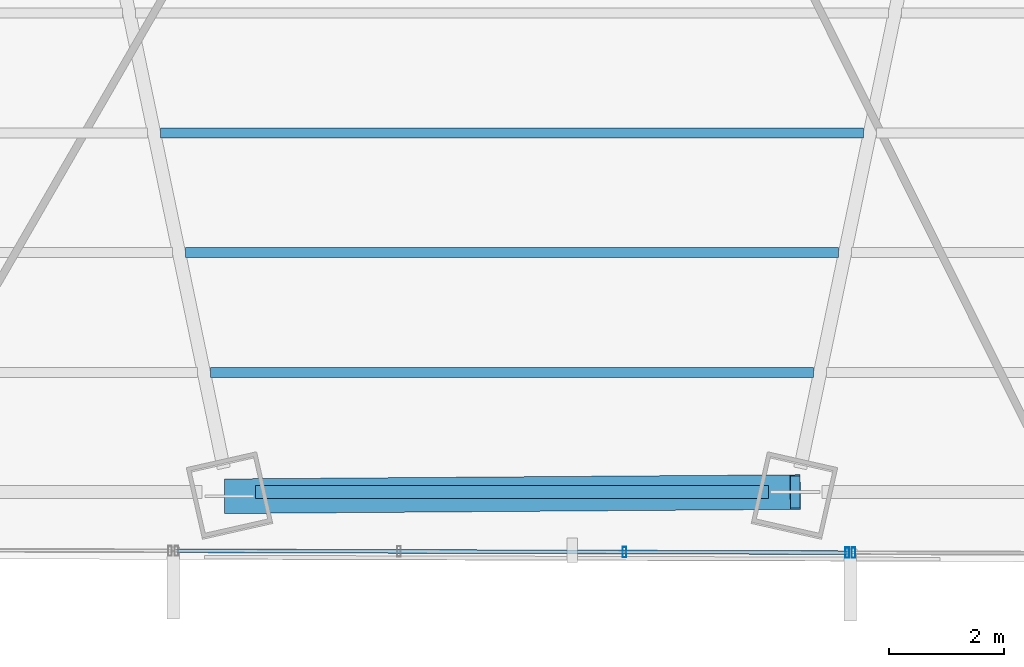
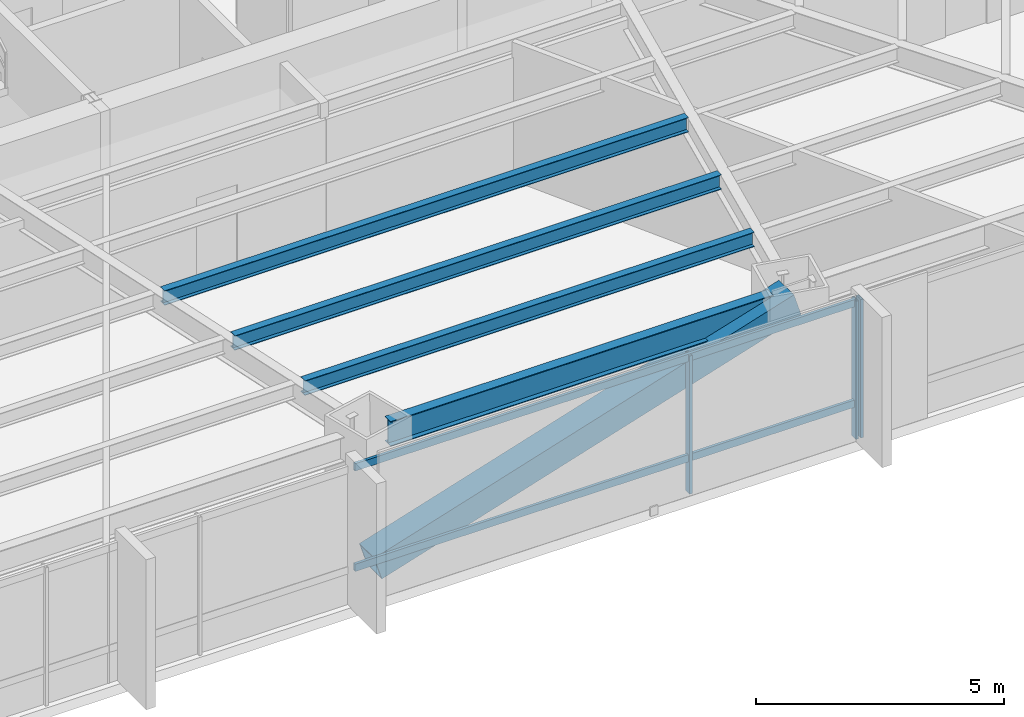
# One storey, part 6 of 29: 6 members, 4 beams, 2 elements without a shape of their own.
"""IFC4 building model written with IfcOpenShell, lengths in metres."""

from ifc_helpers import new_model, si_unit, direction, frame, origin, origin_2d, place, context, subcontext, project, spatial, hollow_rectangle, i_section, extrude, source, transform, mapped, material, material_profile, profile_set, type_object, type_shapes, element, aggregate, save


model = new_model("IFC4")

# Units and contexts
model_context = context("Model", 3, precision=1e-05, world=origin(), true_north=direction((0.0, 1.0)))
body_context = subcontext(model_context, "Body", "Model", "MODEL_VIEW")
ifc_project = project(units=[si_unit("LENGTHUNIT", "METRE"), si_unit("AREAUNIT", "SQUARE_METRE"), si_unit("VOLUMEUNIT", "CUBIC_METRE"), si_unit("PLANEANGLEUNIT", "RADIAN"), si_unit("MASSUNIT", "GRAM", prefix="KILO")], contexts=[model_context])

# Site, building, storey
site_placement = place(None, origin())
site = spatial("IfcSite", under=ifc_project, at=site_placement, CompositionType="ELEMENT")
building_placement = place(site_placement, origin())
building = spatial("IfcBuilding", under=site, at=building_placement, Name="Caelisora Broadcast Tower", CompositionType="ELEMENT")
storey_placement = place(building_placement, frame((0.0, 0.0, 31.25)))
storey = spatial("IfcBuildingStorey", under=building, at=storey_placement, Name="L07", CompositionType="ELEMENT", Elevation=31.25)

# Beams
ifc_material_1 = material(Name="Steel Grade 350 (AS/NZS 3679.1)", Category="steel")
ifc_material_profile_1 = material_profile(ifc_material_1, i_section(OverallWidth=0.22900390625, OverallDepth=0.611572265625, WebThickness=0.011962890625, FlangeThickness=0.01953125, at=origin_2d()), Name="Steel Grade 350 (AS/NZS 3679.1)")
ifc_profile_set_1 = profile_set([ifc_material_profile_1], Name="Steel Grade 350 (AS/NZS 3679.1)")
beam_type_1 = type_object("IfcBeamType", Name="PG03", PredefinedType="BEAM", material=ifc_profile_set_1)
shared_shape_1 = source(origin(), body_context, "Body", "SweptSolid", [
    extrude(i_section(OverallWidth=0.22900390625, OverallDepth=0.611572265625, WebThickness=0.011962890625, FlangeThickness=0.01953125, at=origin_2d()), origin(), (0.0, 0.0, 1.0), 8.900390625),
])
type_shapes(beam_type_1, [shared_shape_1])
beam_1_placement = place(storey_placement, frame((33.5498046875, 4.944580078125, 3.09423828125), z_axis=(1.0, 0.0, 0.0), x_axis=(0.0, 1.0, 0.0)))
element("IfcBeam", 1, at=beam_1_placement, inside=storey, type_object=beam_type_1, Name="L07 beam PG03", PredefinedType="BEAM", context=body_context, shape_type="MappedRepresentation", body=[
    mapped(shared_shape_1, transform((0.0, 0.0, 0.0), scale=1.0)),
])
ifc_material_profile_2 = material_profile(ifc_material_1, i_section(OverallWidth=0.172119140625, OverallDepth=0.358642578125, WebThickness=0.008056640625, FlangeThickness=0.012939453125, at=origin_2d()), Name="Steel Grade 350 (AS/NZS 3679.1)")
ifc_profile_set_2 = profile_set([ifc_material_profile_2], Name="Steel Grade 350 (AS/NZS 3679.1)")
beam_type_2 = type_object("IfcBeamType", Name="SB02", PredefinedType="JOIST", material=ifc_profile_set_2)
shared_shape_2 = source(origin(), body_context, "Body", "SweptSolid", [
    extrude(i_section(OverallWidth=0.172119140625, OverallDepth=0.358642578125, WebThickness=0.008056640625, FlangeThickness=0.012939453125, at=origin_2d()), origin(), (0.0, 0.0, 1.0), 12.18359375),
])
beam_2_placement = place(storey_placement, frame((31.908203125, 11.17236328125, 3.220703125), z_axis=(1.0, 0.0, 0.0), x_axis=(0.0, 1.0, 0.0)))
element("IfcBeam", 2, at=beam_2_placement, inside=storey, type_object=beam_type_2, Name="L07 beam SB02", PredefinedType="JOIST", context=body_context, shape_type="MappedRepresentation", body=[
    mapped(shared_shape_2, transform((0.0, 0.0, 0.0), scale=1.0)),
])
shared_shape_3 = source(origin(), body_context, "Body", "SweptSolid", [
    extrude(i_section(OverallWidth=0.172119140625, OverallDepth=0.358642578125, WebThickness=0.008056640625, FlangeThickness=0.012939453125, at=origin_2d()), origin(), (0.0, 0.0, 1.0), 11.3203125),
])
beam_3_placement = place(storey_placement, frame((32.33984375, 9.096435546875, 3.220703125), z_axis=(1.0, 0.0, 0.0), x_axis=(0.0, 1.0, 0.0)))
element("IfcBeam", 3, at=beam_3_placement, inside=storey, type_object=beam_type_2, Name="L07 beam SB02", PredefinedType="JOIST", context=body_context, shape_type="MappedRepresentation", body=[
    mapped(shared_shape_3, transform((0.0, 0.0, 0.0), scale=1.0)),
])
shared_shape_4 = source(origin(), body_context, "Body", "SweptSolid", [
    extrude(i_section(OverallWidth=0.172119140625, OverallDepth=0.358642578125, WebThickness=0.008056640625, FlangeThickness=0.012939453125, at=origin_2d()), origin(), (0.0, 0.0, 1.0), 10.45703125),
])
type_shapes(beam_type_2, [shared_shape_2, shared_shape_3, shared_shape_4])
beam_4_placement = place(storey_placement, frame((32.771484375, 7.0205078125, 3.220703125), z_axis=(1.0, 0.0, 0.0), x_axis=(0.0, 1.0, 0.0)))
element("IfcBeam", 4, at=beam_4_placement, inside=storey, type_object=beam_type_2, Name="L07 beam SB02", PredefinedType="JOIST", context=body_context, shape_type="MappedRepresentation", body=[
    mapped(shared_shape_4, transform((0.0, 0.0, 0.0), scale=1.0)),
])

# Member
ifc_material_2 = material(Name="Steel Grade 450 L15 (AS/NZS 3678)", Category="steel")
ifc_material_profile_3 = material_profile(ifc_material_2, hollow_rectangle(XDim=0.60009765625, YDim=0.60009765625, WallThickness=0.02490234375, at=origin_2d()), Name="Steel Grade 450 L15 (AS/NZS 3678)")
ifc_profile_set_3 = profile_set([ifc_material_profile_3], Name="Steel Grade 450 L15 (AS/NZS 3678)")
member_type_1 = type_object("IfcMemberType", Name="BR01", PredefinedType="BRACE", material=ifc_profile_set_3)
shared_shape_5 = source(origin(), body_context, "Body", "SweptSolid", [
    extrude(hollow_rectangle(XDim=0.60009765625, YDim=0.60009765625, WallThickness=0.02490234375, at=origin_2d()), origin(), (0.0, 0.0, 1.0), 10.2529296875),
])
type_shapes(member_type_1, [shared_shape_5])
member_1_placement = place(storey_placement, frame((33.106201171875, 4.872314453125, 0.10009765625), z_axis=(0.956209249672, 0.007048283933, 0.292599030305), x_axis=(-0.007370868319, 0.999972834781, 0.0)))
element("IfcMember", 5, at=member_1_placement, inside=storey, type_object=member_type_1, Name="L07 perimeter brace BR01", PredefinedType="BRACE", context=body_context, shape_type="MappedRepresentation", body=[
    mapped(shared_shape_5, transform((0.0, 0.0, 0.0), scale=1.0)),
])

# Curtain wall, member
ifc_material_3 = material(Name="Unitised Aluminium and Low-E Glass Curtain Wall", Category="glass")
curtain_wall_type_1 = type_object("IfcCurtainWallType", Name="CW-Z1", PredefinedType="NOTDEFINED", material=ifc_material_3)
curtain_wall_1_placement = place(storey_placement, origin())
curtain_wall_1 = element("IfcCurtainWall", 6, at=curtain_wall_1_placement, inside=storey, type_object=curtain_wall_type_1, Name="L07 curtain wall CW-Z1", PredefinedType="NOTDEFINED")
ifc_material_4 = material(Name="Aluminium 6063-T6 Anodised Terracotta Bronze", Category="aluminium")
ifc_material_profile_4 = material_profile(ifc_material_4, hollow_rectangle(XDim=0.06494140625, YDim=0.179931640625, WallThickness=0.00341796875, at=origin_2d()), Name="Aluminium 6063-T6 Anodised Terracotta Bronze")
ifc_profile_set_4 = profile_set([ifc_material_profile_4], Name="Aluminium 6063-T6 Anodised Terracotta Bronze")
member_type_2 = type_object("IfcMemberType", Name="CWM-02", PredefinedType="MULLION", material=ifc_profile_set_4)
shared_shape_6 = source(origin(), body_context, "Body", "SweptSolid", [
    extrude(hollow_rectangle(XDim=0.06494140625, YDim=0.179931640625, WallThickness=0.00341796875, at=origin_2d()), origin(), (0.0, 0.0, 1.0), 3.39990234375),
])
type_shapes(member_type_2, [shared_shape_6])
member_2_placement = place(storey_placement, frame((43.921142578125, 3.89404296875, 0.0), z_axis=(0.0, 0.0, 1.0), x_axis=(1.0, 0.0, 0.0)))
member_2 = element("IfcMember", 7, at=member_2_placement, type_object=member_type_2, Name="L07-CW-B05 mullion #3", PredefinedType="MULLION", context=body_context, shape_type="MappedRepresentation", body=[
    mapped(shared_shape_6, transform((0.0, 0.0, 0.0), scale=1.0)),
])
aggregate(curtain_wall_1, [member_2])

# Curtain wall, members
ifc_material_5 = material(Name="Unitised Aluminium Insulated Shadow-Box Spandrel Curtain Wall", Category="aluminium")
curtain_wall_type_2 = type_object("IfcCurtainWallType", Name="CW-SP1", PredefinedType="NOTDEFINED", material=ifc_material_5)
curtain_wall_2_placement = place(storey_placement, origin())
curtain_wall_2 = element("IfcCurtainWall", 8, at=curtain_wall_2_placement, inside=storey, type_object=curtain_wall_type_2, Name="L07 curtain wall CW-SP1", PredefinedType="NOTDEFINED")
member_3_placement = place(storey_placement, frame((43.81103515625, 3.894287109375, 0.0), z_axis=(0.0, 0.0, 1.0), x_axis=(1.0, 0.0, 0.0)))
member_3 = element("IfcMember", 9, at=member_3_placement, type_object=member_type_2, Name="L07-CW-B06 mullion #0", PredefinedType="MULLION", context=body_context, shape_type="MappedRepresentation", body=[
    mapped(shared_shape_6, transform((0.0, 0.0, 0.0), scale=1.0)),
])
member_4_placement = place(storey_placement, frame((39.951904296875, 3.905029296875, 0.0), z_axis=(0.0, 0.0, 1.0), x_axis=(1.0, 0.0, 0.0)))
member_4 = element("IfcMember", 10, at=member_4_placement, type_object=member_type_2, Name="L07-CW-B06 mullion #1", PredefinedType="MULLION", context=body_context, shape_type="MappedRepresentation", body=[
    mapped(shared_shape_6, transform((0.0, 0.0, 0.0), scale=1.0)),
])
ifc_material_profile_5 = material_profile(ifc_material_4, hollow_rectangle(XDim=0.06494140625, YDim=0.179931640625, WallThickness=0.00341796875, at=origin_2d()), Name="Aluminium 6063-T6 Anodised Terracotta Bronze")
ifc_profile_set_5 = profile_set([ifc_material_profile_5], Name="Aluminium 6063-T6 Anodised Terracotta Bronze")
member_type_3 = type_object("IfcMemberType", Name="CWT-01", PredefinedType="USERDEFINED", material=ifc_profile_set_5)
shared_shape_7 = source(origin(), body_context, "Body", "SweptSolid", [
    extrude(hollow_rectangle(XDim=0.06494140625, YDim=0.179931640625, WallThickness=0.00341796875, at=origin_2d()), origin(), (0.0, 0.0, 1.0), 11.62744140625),
])
type_shapes(member_type_3, [shared_shape_7])
member_5_placement = place(storey_placement, frame((43.81103515625, 3.894287109375, 0.85009765625), z_axis=(-0.999996159152, 0.002771584702, 0.0), x_axis=(-0.002771584702, -0.999996159152, 0.0)))
member_5 = element("IfcMember", 11, at=member_5_placement, type_object=member_type_3, Name="L07-CW-B06 transom #1", ObjectType="TRANSOM", PredefinedType="USERDEFINED", context=body_context, shape_type="MappedRepresentation", body=[
    mapped(shared_shape_7, transform((0.0, 0.0, 0.0), scale=1.0)),
])
member_6_placement = place(storey_placement, frame((43.81103515625, 3.894287109375, 3.320068359375), z_axis=(-0.999996159152, 0.002771584702, 0.0), x_axis=(-0.002771584702, -0.999996159152, 0.0)))
member_6 = element("IfcMember", 12, at=member_6_placement, type_object=member_type_3, Name="L07-CW-B06 transom #2", ObjectType="TRANSOM", PredefinedType="USERDEFINED", context=body_context, shape_type="MappedRepresentation", body=[
    mapped(shared_shape_7, transform((0.0, 0.0, 0.0), scale=1.0)),
])
aggregate(curtain_wall_2, [member_3, member_4, member_5, member_6])

save(model, "model.ifc")
